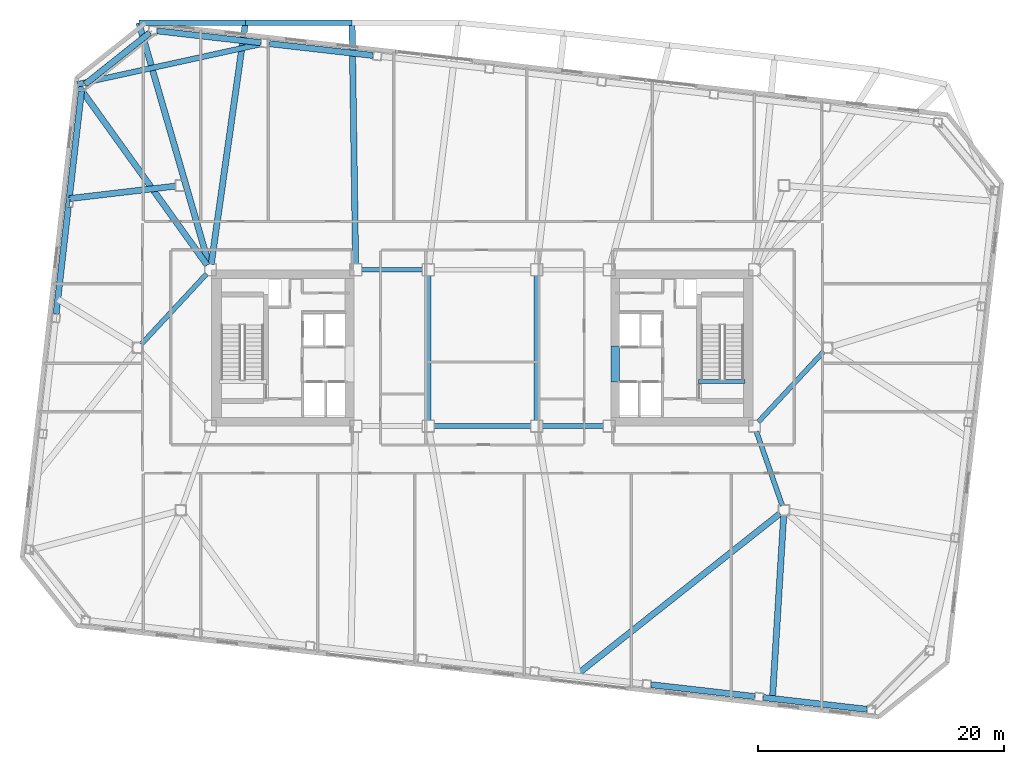
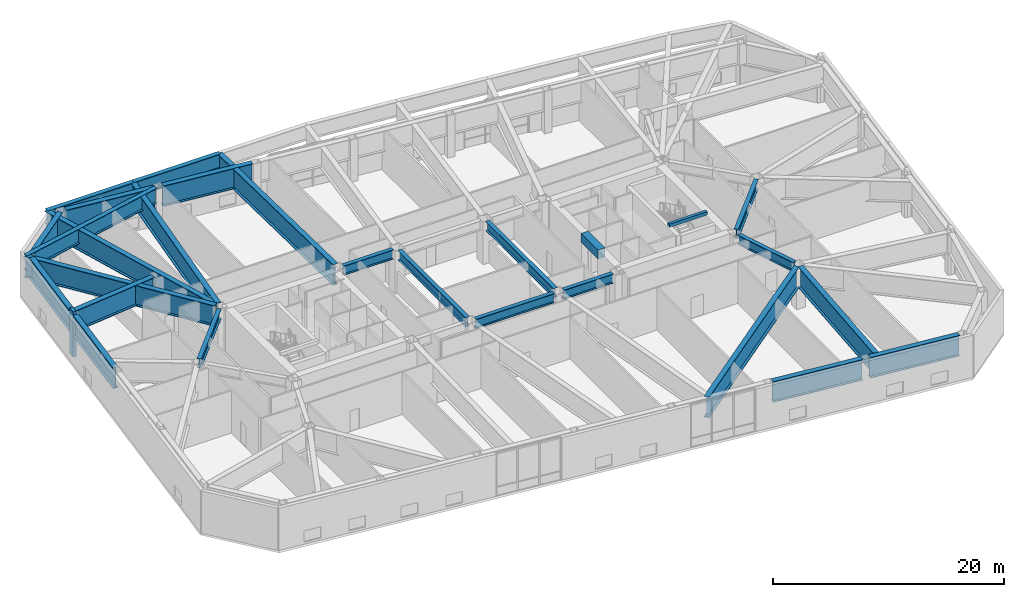
# One storey, part 5 of 19: 27 beams, 2 members.
"""IFC4 building model written with IfcOpenShell, lengths in metres."""

from ifc_helpers import new_model, si_unit, direction, frame, origin, origin_2d, place, context, subcontext, project, spatial, rectangle, hollow_circle, i_section, extrude, material, material_profile, profile_set, type_object, element, save


model = new_model("IFC4")

# Units and contexts
model_context = context("Model", 3, precision=1e-05, world=origin(), true_north=direction((0.0, 1.0)))
body_context = subcontext(model_context, "Body", "Model", "MODEL_VIEW")
ifc_project = project(units=[si_unit("LENGTHUNIT", "METRE"), si_unit("AREAUNIT", "SQUARE_METRE"), si_unit("VOLUMEUNIT", "CUBIC_METRE"), si_unit("PLANEANGLEUNIT", "RADIAN"), si_unit("MASSUNIT", "GRAM", prefix="KILO")], contexts=[model_context])

# Site, building, storey
site_placement = place(None, origin())
site = spatial("IfcSite", under=ifc_project, at=site_placement, CompositionType="ELEMENT")
building_placement = place(site_placement, origin())
building = spatial("IfcBuilding", under=site, at=building_placement, Name="Tavrogorsk Clinical Tower", CompositionType="ELEMENT")
storey_placement = place(building_placement, frame((0.0, 0.0, 141.39990234375)))
storey = spatial("IfcBuildingStorey", under=building, at=storey_placement, Name="L32", CompositionType="ELEMENT", Elevation=141.39990234375)

# Beam
ifc_material_1 = material(Name="Concrete B80", Category="concrete")
ifc_material_profile_1 = material_profile(ifc_material_1, rectangle(XDim=0.699951171875, YDim=0.949951171875, at=origin_2d()), Name="RC-CB-700x950")
ifc_profile_set_1 = profile_set([ifc_material_profile_1], Name="Concrete B80")
beam_type_1 = type_object("IfcBeamType", Name="CouplingBeam_RC700x950", PredefinedType="LINTEL", material=ifc_profile_set_1)
beam_1_placement = place(storey_placement, frame((10.800048828125, -2.75, 4.005126953125), z_axis=(0.0, 1.0, 0.0), x_axis=(-1.0, 0.0, 0.0)))
element("IfcBeam", 1, at=beam_1_placement, inside=storey, type_object=beam_type_1, Name="L32 Core East Coupling Beam", PredefinedType="LINTEL", context=body_context, shape_type="SweptSolid", body=[
    extrude(rectangle(XDim=0.699951171875, YDim=0.949951171875, at=origin_2d()), origin(), (0.0, 0.0, 1.0), 2.89990234375),
])

# Members
ifc_material_2 = material(Name="Structural steel S440", Category="steel")
ifc_material_profile_2 = material_profile(ifc_material_2, hollow_circle(Radius=0.25390625, WallThickness=0.02001953125, at=origin_2d()), Name="CHS-508x20")
ifc_profile_set_2 = profile_set([ifc_material_profile_2], Name="Structural steel S440")
member_type_1 = type_object("IfcMemberType", Name="ExoBrace_CHS508", PredefinedType="BRACE", material=ifc_profile_set_2)
member_1_placement = place(storey_placement, frame((-27.05419921875, 25.58544921875, 0.390869140625), z_axis=(-0.756969806577, -0.602122988091, 0.253859447614), x_axis=(0.622515913274, -0.782607141368, 0.0)))
element("IfcMember", 2, at=member_1_placement, inside=storey, type_object=member_type_1, Name="L32 Corner Exoskeleton Brace N8-W1", PredefinedType="BRACE", context=body_context, shape_type="SweptSolid", body=[
    extrude(hollow_circle(Radius=0.25390625, WallThickness=0.02001953125, at=origin_2d()), origin(), (0.0, 0.0, 1.0), 6.886962890625),
])
ifc_material_3 = material(Name="Precast concrete B45 with limestone cladding", Category="masonry")
ifc_material_profile_3 = material_profile(ifc_material_3, rectangle(XDim=0.320068359375, YDim=0.719970703125, at=origin_2d()), Name="LIMESTONE-FIN-320x720")
ifc_profile_set_3 = profile_set([ifc_material_profile_3], Name="Precast concrete B45 with limestone cladding")
member_type_2 = type_object("IfcMemberType", Name="LimestonePleatFin_320x720", PredefinedType="USERDEFINED", material=ifc_profile_set_3)
member_2_placement = place(storey_placement, frame((-33.688720703125, 11.8330078125, 0.0), z_axis=(0.0, 0.0, 1.0), x_axis=(0.993571855677, -0.113203213768, 0.0)))
element("IfcMember", 3, at=member_2_placement, inside=storey, type_object=member_type_2, Name="L32 W Pleated Stone Fin 1", ObjectType="FIN", PredefinedType="USERDEFINED", context=body_context, shape_type="SweptSolid", body=[
    extrude(rectangle(XDim=0.320068359375, YDim=0.719970703125, at=origin_2d()), origin(), (0.0, 0.0, 1.0), 4.800048828125),
])

# Beams
ifc_material_4 = material(Name="Concrete B60", Category="concrete")
ifc_material_profile_4 = material_profile(ifc_material_4, rectangle(XDim=0.300048828125, YDim=0.35009765625, at=origin_2d()), Name="RC-SHB-300x350")
ifc_profile_set_4 = profile_set([ifc_material_profile_4], Name="Concrete B60")
beam_type_2 = type_object("IfcBeamType", Name="StairHeaderBeam_RC300x350", PredefinedType="BEAM", material=ifc_profile_set_4)
beam_2_placement = place(storey_placement, frame((17.550048828125, -2.719970703125, 4.625), z_axis=(1.0, 0.0, 0.0), x_axis=(0.0, 1.0, 0.0)))
element("IfcBeam", 4, at=beam_2_placement, inside=storey, type_object=beam_type_2, Name="L33 ST-E Landing Header Beam", PredefinedType="BEAM", context=body_context, shape_type="SweptSolid", body=[
    extrude(rectangle(XDim=0.300048828125, YDim=0.35009765625, at=origin_2d()), origin(), (0.0, 0.0, 1.0), 3.800048828125),
])
ifc_material_5 = material(Name="Structural steel S440", Category="steel")
ifc_material_profile_5 = material_profile(ifc_material_5, i_section(OverallWidth=0.39990234375, OverallDepth=1.0, WebThickness=0.028076171875, FlangeThickness=0.044921875, at=origin_2d()), Name="DK-1000x400x28x45")
ifc_profile_set_5 = profile_set([ifc_material_profile_5], Name="Structural steel S440")
beam_type_3 = type_object("IfcBeamType", Name="TransferGirder_DK1000", PredefinedType="USERDEFINED", material=ifc_profile_set_5)
beam_3_placement = place(storey_placement, frame((-9.840087890625, 6.35009765625, 3.97998046875), z_axis=(1.0, 0.0, 0.0), x_axis=(0.0, 1.0, 0.0)))
element("IfcBeam", 5, at=beam_3_placement, inside=storey, type_object=beam_type_3, Name="L32 Primary Spine Girder MG-02", ObjectType="GIRDER", PredefinedType="USERDEFINED", context=body_context, shape_type="SweptSolid", body=[
    extrude(i_section(OverallWidth=0.39990234375, OverallDepth=1.0, WebThickness=0.028076171875, FlangeThickness=0.044921875, at=origin_2d()), origin(), (0.0, 0.0, 1.0), 4.97998046875),
])
beam_4_placement = place(storey_placement, frame((-3.93994140625, -6.35009765625, 3.97998046875), z_axis=(1.0, 0.0, 0.0), x_axis=(0.0, 1.0, 0.0)))
element("IfcBeam", 6, at=beam_4_placement, inside=storey, type_object=beam_type_3, Name="L32 Primary Spine Girder MG-03", ObjectType="GIRDER", PredefinedType="USERDEFINED", context=body_context, shape_type="SweptSolid", body=[
    extrude(i_section(OverallWidth=0.39990234375, OverallDepth=1.0, WebThickness=0.028076171875, FlangeThickness=0.044921875, at=origin_2d()), origin(), (0.0, 0.0, 1.0), 7.8798828125),
])
beam_5_placement = place(storey_placement, frame((4.860107421875, -6.35009765625, 3.97998046875), z_axis=(1.0, 0.0, 0.0), x_axis=(0.0, 1.0, 0.0)))
element("IfcBeam", 7, at=beam_5_placement, inside=storey, type_object=beam_type_3, Name="L32 Primary Spine Girder MG-05", ObjectType="GIRDER", PredefinedType="USERDEFINED", context=body_context, shape_type="SweptSolid", body=[
    extrude(i_section(OverallWidth=0.39990234375, OverallDepth=1.0, WebThickness=0.028076171875, FlangeThickness=0.044921875, at=origin_2d()), origin(), (0.0, 0.0, 1.0), 4.97998046875),
])
for number, where, z_axis, x_axis, name in (
    (8, (-4.39990234375, -5.889892578125, 3.97998046875), (0.0, 1.0, 0.0), (-1.0, 0.0, 0.0), "L32 Primary Spine Girder MG-07"),
    (9, (4.39990234375, -5.889892578125, 3.97998046875), (0.0, 1.0, 0.0), (-1.0, 0.0, 0.0), "L32 Primary Spine Girder MG-08"),
):
    element("IfcBeam", number, at=place(storey_placement, frame(where, z_axis=z_axis, x_axis=x_axis)), inside=storey, type_object=beam_type_3, Name=name, ObjectType="GIRDER", PredefinedType="USERDEFINED", context=body_context, shape_type="SweptSolid", body=[
        extrude(i_section(OverallWidth=0.39990234375, OverallDepth=1.0, WebThickness=0.028076171875, FlangeThickness=0.044921875, at=origin_2d()), origin(), (0.0, 0.0, 1.0), 11.77978515625),
    ])
beam_6_placement = place(storey_placement, frame((24.364501953125, -12.81298828125, 3.97998046875), z_axis=(-0.330660234815, 0.943749865755, 0.0), x_axis=(-0.943749865755, -0.330660234815, 0.0)))
element("IfcBeam", 10, at=beam_6_placement, inside=storey, type_object=beam_type_3, Name="L32 Spine Link Girder OPG-2", ObjectType="GIRDER", PredefinedType="USERDEFINED", context=body_context, shape_type="SweptSolid", body=[
    extrude(i_section(OverallWidth=0.39990234375, OverallDepth=1.0, WebThickness=0.028076171875, FlangeThickness=0.044921875, at=origin_2d()), origin(), (0.0, 0.0, 1.0), 6.38818359375),
])
for number, where, z_axis, x_axis, name in (
    (11, (-27.720947265625, 0.30029296875, 3.97998046875), (0.680675630035, 0.732584934787, 0.0), (-0.732584934787, 0.680675630035, 0.0), "L32 Spine Link Girder OPG-6"),
    (12, (27.720947265625, -0.30029296875, 3.97998046875), (-0.680675630035, -0.732584934787, 0.0), (0.732584934787, -0.680675630035, 0.0), "L32 Spine Link Girder OPG-7"),
):
    element("IfcBeam", number, at=place(storey_placement, frame(where, z_axis=z_axis, x_axis=x_axis)), inside=storey, type_object=beam_type_3, Name=name, ObjectType="GIRDER", PredefinedType="USERDEFINED", context=body_context, shape_type="SweptSolid", body=[
        extrude(i_section(OverallWidth=0.39990234375, OverallDepth=1.0, WebThickness=0.028076171875, FlangeThickness=0.044921875, at=origin_2d()), origin(), (0.0, 0.0, 1.0), 7.7978515625),
    ])
ifc_material_6 = material(Name="Structural steel S440", Category="steel")
ifc_material_profile_6 = material_profile(ifc_material_6, i_section(OverallWidth=0.449951171875, OverallDepth=1.60009765625, WebThickness=0.031982421875, FlangeThickness=0.050048828125, at=origin_2d()), Name="DK-1600x450x32x50")
ifc_profile_set_6 = profile_set([ifc_material_profile_6], Name="Structural steel S440")
beam_type_4 = type_object("IfcBeamType", Name="TransferGirder_DK1600", PredefinedType="USERDEFINED", material=ifc_profile_set_6)
for number, where, z_axis, x_axis, name in (
    (13, (-10.59423828125, 26.419921875, 3.68017578125), (-1.0, 0.0, 0.0), (0.0, -1.0, 0.0), "L33 Transfer Edge Girder N6-N7"),
    (14, (-19.257080078125, 26.419921875, 3.68017578125), (-1.0, 0.0, 0.0), (0.0, -1.0, 0.0), "L33 Transfer Edge Girder N7-N8"),
):
    element("IfcBeam", number, at=place(storey_placement, frame(where, z_axis=z_axis, x_axis=x_axis)), inside=storey, type_object=beam_type_4, Name=name, ObjectType="GIRDER", PredefinedType="USERDEFINED", context=body_context, shape_type="SweptSolid", body=[
        extrude(i_section(OverallWidth=0.449951171875, OverallDepth=1.60009765625, WebThickness=0.031982421875, FlangeThickness=0.050048828125, at=origin_2d()), origin(), (0.0, 0.0, 1.0), 8.662841796875),
    ])
beam_7_placement = place(storey_placement, frame((-18.0146484375, 24.685546875, 3.68017578125), z_axis=(-0.976830239519, -0.214015614293, 0.0), x_axis=(0.214015614293, -0.976830239519, 0.0)))
element("IfcBeam", 15, at=beam_7_placement, inside=storey, type_object=beam_type_4, Name="L33 Transfer Edge Tie W1", ObjectType="GIRDER", PredefinedType="USERDEFINED", context=body_context, shape_type="SweptSolid", body=[
    extrude(i_section(OverallWidth=0.449951171875, OverallDepth=1.60009765625, WebThickness=0.031982421875, FlangeThickness=0.050048828125, at=origin_2d()), origin(), (0.0, 0.0, 1.0), 15.2587890625),
])
ifc_material_7 = material(Name="Structural steel S440", Category="steel")
ifc_material_profile_7 = material_profile(ifc_material_7, i_section(OverallWidth=0.5, OverallDepth=2.199951171875, WebThickness=0.035888671875, FlangeThickness=0.054931640625, at=origin_2d()), Name="DK-2200x500x36x55")
ifc_profile_set_7 = profile_set([ifc_material_profile_7], Name="Structural steel S440")
beam_type_5 = type_object("IfcBeamType", Name="TransferGirder_DK2200", PredefinedType="USERDEFINED", material=ifc_profile_set_7)
beam_8_placement = place(storey_placement, frame((13.702392578125, -27.36376953125, 3.380126953125), z_axis=(0.993569819641, -0.113221082395, 0.0), x_axis=(0.113221082395, 0.993569819641, 0.0)))
element("IfcBeam", 16, at=beam_8_placement, inside=storey, type_object=beam_type_5, Name="L32 Perimeter Spandrel S6-S7", ObjectType="GIRDER", PredefinedType="USERDEFINED", context=body_context, shape_type="SweptSolid", body=[
    extrude(i_section(OverallWidth=0.5, OverallDepth=2.199951171875, WebThickness=0.035888671875, FlangeThickness=0.054931640625, at=origin_2d()), origin(), (0.0, 0.0, 1.0), 8.46142578125),
])
beam_9_placement = place(storey_placement, frame((22.82080078125, -28.40283203125, 3.380126953125), z_axis=(0.99357232562, -0.113199089054, 0.0), x_axis=(0.113199089054, 0.99357232562, 0.0)))
element("IfcBeam", 17, at=beam_9_placement, inside=storey, type_object=beam_type_5, Name="L32 Perimeter Spandrel S7-S8", ObjectType="GIRDER", PredefinedType="USERDEFINED", context=body_context, shape_type="SweptSolid", body=[
    extrude(i_section(OverallWidth=0.5, OverallDepth=2.199951171875, WebThickness=0.035888671875, FlangeThickness=0.054931640625, at=origin_2d()), origin(), (0.0, 0.0, 1.0), 8.4609375),
])
for number, where, z_axis, x_axis, name in (
    (18, (-8.902587890625, 23.763916015625, 3.380126953125), (-0.993572695356, 0.113195843756, 0.0), (-0.113195843756, -0.993572695356, 0.0), "L32 Perimeter Spandrel N6-N7"),
    (19, (-18.020751953125, 24.802734375, 3.380126953125), (-0.993572695356, 0.113195843756, 0.0), (-0.113195843756, -0.993572695356, 0.0), "L32 Perimeter Spandrel N7-N8"),
):
    element("IfcBeam", number, at=place(storey_placement, frame(where, z_axis=z_axis, x_axis=x_axis)), inside=storey, type_object=beam_type_5, Name=name, ObjectType="GIRDER", PredefinedType="USERDEFINED", context=body_context, shape_type="SweptSolid", body=[
        extrude(i_section(OverallWidth=0.5, OverallDepth=2.199951171875, WebThickness=0.035888671875, FlangeThickness=0.054931640625, at=origin_2d()), origin(), (0.0, 0.0, 1.0), 8.461181640625),
    ])
beam_10_placement = place(storey_placement, frame((-27.063232421875, 25.578125, 3.380126953125), z_axis=(-0.782613271493, -0.622508206599, 0.0), x_axis=(0.622508206599, -0.782613271493, 0.0)))
element("IfcBeam", 20, at=beam_10_placement, inside=storey, type_object=beam_type_5, Name="L32 Perimeter Spandrel N8-W1", ObjectType="GIRDER", PredefinedType="USERDEFINED", context=body_context, shape_type="SweptSolid", body=[
    extrude(i_section(OverallWidth=0.5, OverallDepth=2.199951171875, WebThickness=0.035888671875, FlangeThickness=0.054931640625, at=origin_2d()), origin(), (0.0, 0.0, 1.0), 6.6376953125),
])
for number, where, z_axis, x_axis, name in (
    (21, (-32.578857421875, 20.867431640625, 3.380126953125), (-0.113192226434, -0.993573107464, 0.0), (0.993573107464, -0.113192226434, 0.0), "L32 Perimeter Spandrel W1-W2"),
    (22, (-33.649658203125, 11.46826171875, 3.380126953125), (-0.113219789686, -0.993569966949, 0.0), (0.993569966949, -0.113219789686, 0.0), "L32 Perimeter Spandrel W2-W3"),
):
    element("IfcBeam", number, at=place(storey_placement, frame(where, z_axis=z_axis, x_axis=x_axis)), inside=storey, type_object=beam_type_5, Name=name, ObjectType="GIRDER", PredefinedType="USERDEFINED", context=body_context, shape_type="SweptSolid", body=[
        extrude(i_section(OverallWidth=0.5, OverallDepth=2.199951171875, WebThickness=0.035888671875, FlangeThickness=0.054931640625, at=origin_2d()), origin(), (0.0, 0.0, 1.0), 8.743896484375),
    ])
beam_11_placement = place(storey_placement, frame((24.1787109375, -13.454833984375, 3.380126953125), z_axis=(-0.783573461124, -0.621299147772, 0.0), x_axis=(0.621299147772, -0.783573461124, 0.0)))
element("IfcBeam", 23, at=beam_11_placement, inside=storey, type_object=beam_type_5, Name="L33 Block Transfer Girder S6", ObjectType="GIRDER", PredefinedType="USERDEFINED", context=body_context, shape_type="SweptSolid", body=[
    extrude(i_section(OverallWidth=0.5, OverallDepth=2.199951171875, WebThickness=0.035888671875, FlangeThickness=0.054931640625, at=origin_2d()), origin(), (0.0, 0.0, 1.0), 21.25390625),
])
beam_12_placement = place(storey_placement, frame((24.474853515625, -13.609130859375, 3.380126953125), z_axis=(-0.06122295243, -0.998124115577, 0.0), x_axis=(0.998124115577, -0.06122295243, 0.0)))
element("IfcBeam", 24, at=beam_12_placement, inside=storey, type_object=beam_type_5, Name="L33 Block Transfer Girder S7", ObjectType="GIRDER", PredefinedType="USERDEFINED", context=body_context, shape_type="SweptSolid", body=[
    extrude(i_section(OverallWidth=0.5, OverallDepth=2.199951171875, WebThickness=0.035888671875, FlangeThickness=0.054931640625, at=origin_2d()), origin(), (0.0, 0.0, 1.0), 14.90625),
])
beam_13_placement = place(storey_placement, frame((-10.306640625, 6.81005859375, 3.380126953125), z_axis=(-0.014664392471, 0.999892472016, 0.0), x_axis=(-0.999892472016, -0.014664392471, 0.0)))
element("IfcBeam", 25, at=beam_13_placement, inside=storey, type_object=beam_type_5, Name="L33 Block Transfer Girder N6", ObjectType="GIRDER", PredefinedType="USERDEFINED", context=body_context, shape_type="SweptSolid", body=[
    extrude(i_section(OverallWidth=0.5, OverallDepth=2.199951171875, WebThickness=0.035888671875, FlangeThickness=0.054931640625, at=origin_2d()), origin(), (0.0, 0.0, 1.0), 19.612060546875),
])
beam_14_placement = place(storey_placement, frame((-22.035400390625, 6.805419921875, 3.380126953125), z_axis=(0.140246293391, 0.990116648274, 0.0), x_axis=(-0.990116648274, 0.140246293391, 0.0)))
element("IfcBeam", 26, at=beam_14_placement, inside=storey, type_object=beam_type_5, Name="L33 Block Transfer Girder N7", ObjectType="GIRDER", PredefinedType="USERDEFINED", context=body_context, shape_type="SweptSolid", body=[
    extrude(i_section(OverallWidth=0.5, OverallDepth=2.199951171875, WebThickness=0.035888671875, FlangeThickness=0.054931640625, at=origin_2d()), origin(), (0.0, 0.0, 1.0), 19.810302734375),
])
beam_15_placement = place(storey_placement, frame((-22.22802734375, 6.791748046875, 3.380126953125), z_axis=(-0.278511998305, 0.960432749754, 0.0), x_axis=(-0.960432749754, -0.278511998305, 0.0)))
element("IfcBeam", 27, at=beam_15_placement, inside=storey, type_object=beam_type_5, Name="L33 Block Transfer Girder N8", ObjectType="GIRDER", PredefinedType="USERDEFINED", context=body_context, shape_type="SweptSolid", body=[
    extrude(i_section(OverallWidth=0.5, OverallDepth=2.199951171875, WebThickness=0.035888671875, FlangeThickness=0.054931640625, at=origin_2d()), origin(), (0.0, 0.0, 1.0), 20.436767578125),
])
beam_16_placement = place(storey_placement, frame((-22.3681640625, 6.7236328125, 3.380126953125), z_axis=(-0.58322778849, 0.812308652381, 0.0), x_axis=(-0.812308652381, -0.58322778849, 0.0)))
element("IfcBeam", 28, at=beam_16_placement, inside=storey, type_object=beam_type_5, Name="L33 Block Transfer Girder W1", ObjectType="GIRDER", PredefinedType="USERDEFINED", context=body_context, shape_type="SweptSolid", body=[
    extrude(i_section(OverallWidth=0.5, OverallDepth=2.199951171875, WebThickness=0.035888671875, FlangeThickness=0.054931640625, at=origin_2d()), origin(), (0.0, 0.0, 1.0), 18.092041015625),
])
beam_17_placement = place(storey_placement, frame((-24.9072265625, 13.152099609375, 3.380126953125), z_axis=(-0.993158240993, -0.116776317584, 0.0), x_axis=(0.116776317584, -0.993158240993, 0.0)))
element("IfcBeam", 29, at=beam_17_placement, inside=storey, type_object=beam_type_5, Name="L33 Block Transfer Girder W2", ObjectType="GIRDER", PredefinedType="USERDEFINED", context=body_context, shape_type="SweptSolid", body=[
    extrude(i_section(OverallWidth=0.5, OverallDepth=2.199951171875, WebThickness=0.035888671875, FlangeThickness=0.054931640625, at=origin_2d()), origin(), (0.0, 0.0, 1.0), 8.7265625),
])

save(model, "model.ifc")
